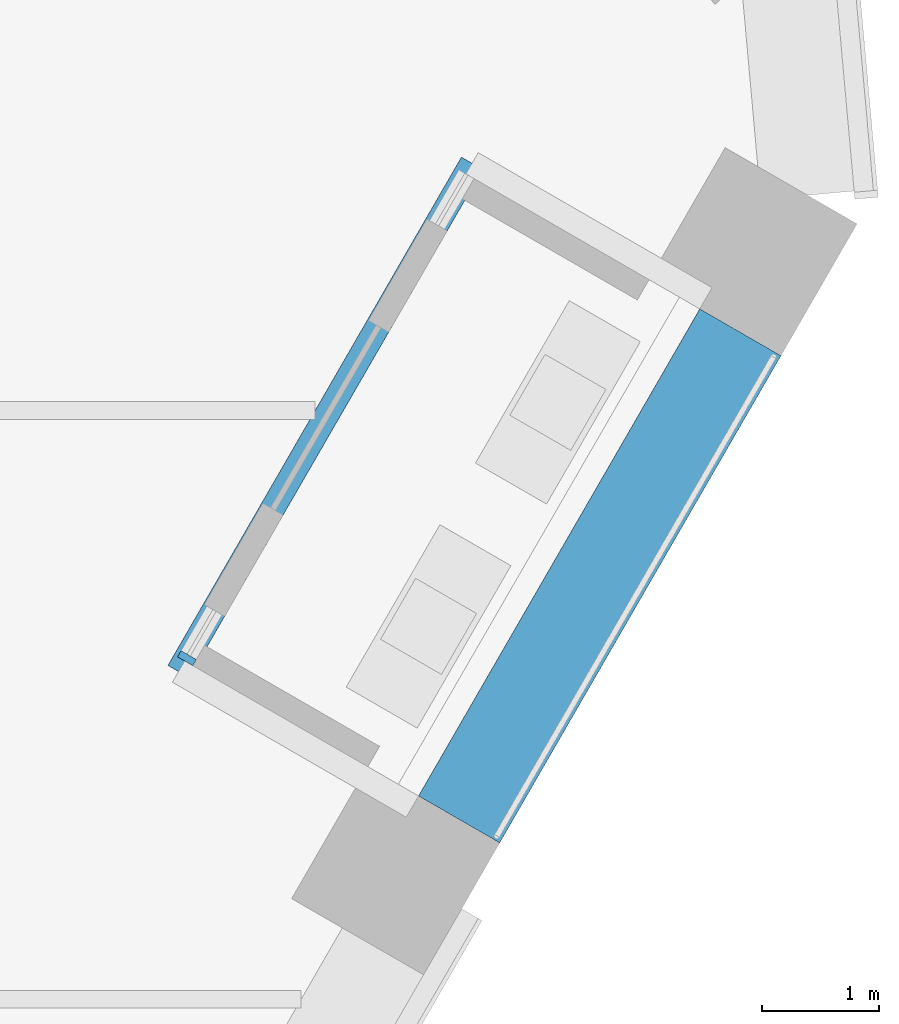
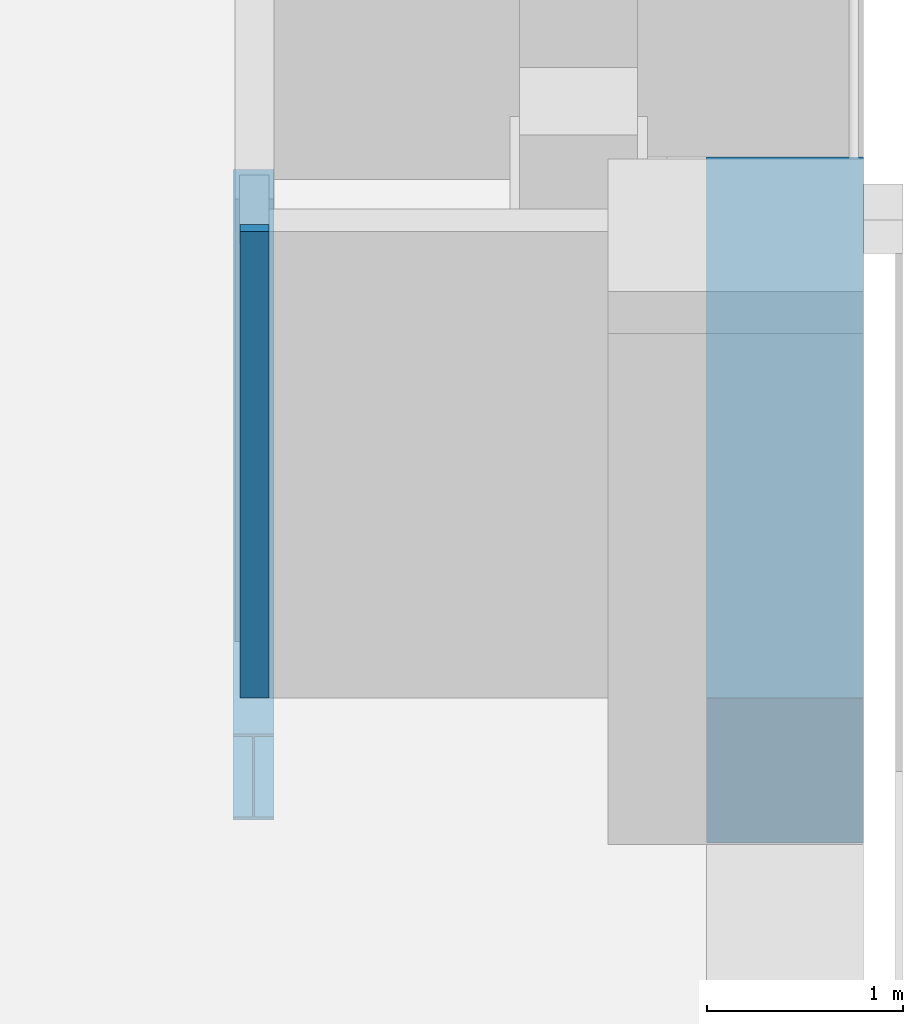
# One storey, part 7 of 26: 2 beams, 1 member, 1 element without a shape of its own.
"""IFC4 building model written with IfcOpenShell, lengths in metres."""

from ifc_helpers import new_model, si_unit, direction, frame, origin, origin_2d, place, context, subcontext, project, spatial, rectangle, i_section, extrude, material, layer, layer_set, material_profile, profile_set, type_object, element, aggregate, save


model = new_model("IFC4")

# Units and contexts
model_context = context("Model", 3, precision=1e-05, world=origin(), true_north=direction((0.0, 1.0)))
body_context = subcontext(model_context, "Body", "Model", "MODEL_VIEW")
ifc_project = project(units=[si_unit("LENGTHUNIT", "METRE"), si_unit("AREAUNIT", "SQUARE_METRE"), si_unit("VOLUMEUNIT", "CUBIC_METRE"), si_unit("PLANEANGLEUNIT", "RADIAN"), si_unit("MASSUNIT", "GRAM", prefix="KILO")], contexts=[model_context])

# Site, building, storey
site_placement = place(None, origin())
site = spatial("IfcSite", under=ifc_project, at=site_placement, CompositionType="ELEMENT")
building_placement = place(site_placement, origin())
building = spatial("IfcBuilding", under=site, at=building_placement, Name="Isthmus Gate Tower", CompositionType="ELEMENT")
storey_placement = place(building_placement, frame((0.0, 0.0, 203.64990234375)))
storey = spatial("IfcBuildingStorey", under=building, at=storey_placement, Name="L51", CompositionType="ELEMENT", Elevation=203.64990234375)

# Curtain wall, member
ifc_material_1 = material(Name="Aluminium, pale champagne anodised", Category="aluminium")
ifc_layer = layer(ifc_material_1, 0.14990234375)
ifc_layer_set = layer_set([ifc_layer], Name="CW-6 LOGGIA BACK WALL GLAZING 150 DEEP")
curtain_wall_type = type_object("IfcCurtainWallType", Name="CW-6 LOGGIA BACK WALL GLAZING 150 DEEP", PredefinedType="NOTDEFINED", material=ifc_layer_set)
curtain_wall_placement = place(storey_placement, origin())
curtain_wall = element("IfcCurtainWall", 1, at=curtain_wall_placement, inside=storey, type_object=curtain_wall_type, Name="CW-6 SE L51", PredefinedType="NOTDEFINED")
ifc_material_2 = material(Name="Aluminium, pale champagne anodised", Category="aluminium")
ifc_material_profile_1 = material_profile(ifc_material_2, rectangle(XDim=0.06005859375, YDim=0.14990234375, at=origin_2d()), Name="60x150")
ifc_profile_set_1 = profile_set([ifc_material_profile_1], Name="Aluminium, pale champagne anodised")
member_type = type_object("IfcMemberType", Name="CW-6 MULLION 60 X 150", PredefinedType="MULLION", material=ifc_profile_set_1)
member_placement = place(storey_placement, frame((27.510009765625, -2.1513671875, 0.0), z_axis=(0.0, 0.0, 1.0), x_axis=(0.5, 0.866025403784, 0.0)))
member = element("IfcMember", 2, at=member_placement, type_object=member_type, Name="CW-6 mullion", PredefinedType="MULLION", context=body_context, shape_type="SweptSolid", body=[
    extrude(rectangle(XDim=0.06005859375, YDim=0.14990234375, at=origin_2d()), origin(), (0.0, 0.0, 1.0), 2.900146484375),
])
aggregate(curtain_wall, [member])

# Beams
ifc_material_3 = material(Name="Concrete f'c 60 MPa", Category="concrete")
ifc_material_profile_2 = material_profile(ifc_material_3, rectangle(XDim=0.800048828125, YDim=0.89990234375, at=origin_2d()), Name="RC 800X900")
ifc_profile_set_2 = profile_set([ifc_material_profile_2], Name="Concrete f'c 60 MPa")
beam_type_1 = type_object("IfcBeamType", Name="RC SPANDREL 800 X 900", PredefinedType="SPANDREL", material=ifc_profile_set_2)
beam_1_placement = place(storey_placement, frame((32.2333984375, 0.629638671875, -0.449951171875), z_axis=(-0.500017431331, -0.866015339567, 0.0), x_axis=(0.866015339567, -0.500017431331, 0.0)))
element("IfcBeam", 3, at=beam_1_placement, inside=storey, type_object=beam_type_1, Name="str-spandrel-L51-06", PredefinedType="SPANDREL", context=body_context, shape_type="SweptSolid", body=[
    extrude(rectangle(XDim=0.800048828125, YDim=0.89990234375, at=origin_2d()), origin(), (0.0, 0.0, 1.0), 4.800048828125),
])
ifc_material_4 = material(Name="Structural steel ASTM A992 Gr 50", Category="steel")
ifc_material_profile_3 = material_profile(ifc_material_4, i_section(OverallWidth=0.20947265625, OverallDepth=0.533447265625, WebThickness=0.009521484375, FlangeThickness=0.015869140625, at=origin_2d()), Name="W21X62")
ifc_profile_set_3 = profile_set([ifc_material_profile_3], Name="Structural steel ASTM A992 Gr 50")
beam_type_2 = type_object("IfcBeamType", Name="STEEL TRIMMER W21X62", PredefinedType="BEAM", material=ifc_profile_set_3)
beam_2_placement = place(storey_placement, frame((27.4384765625, -2.265625, -0.41650390625), z_axis=(0.500017753321, 0.866015153657, 0.0), x_axis=(-0.866015153657, 0.500017753321, 0.0)))
element("IfcBeam", 4, at=beam_2_placement, inside=storey, type_object=beam_type_2, Name="str-loggiatrim-L51-04-B", PredefinedType="BEAM", context=body_context, shape_type="SweptSolid", body=[
    extrude(i_section(OverallWidth=0.20947265625, OverallDepth=0.533447265625, WebThickness=0.009521484375, FlangeThickness=0.015869140625, at=origin_2d()), origin(), (0.0, 0.0, 1.0), 5.009521484375),
])

save(model, "model.ifc")
